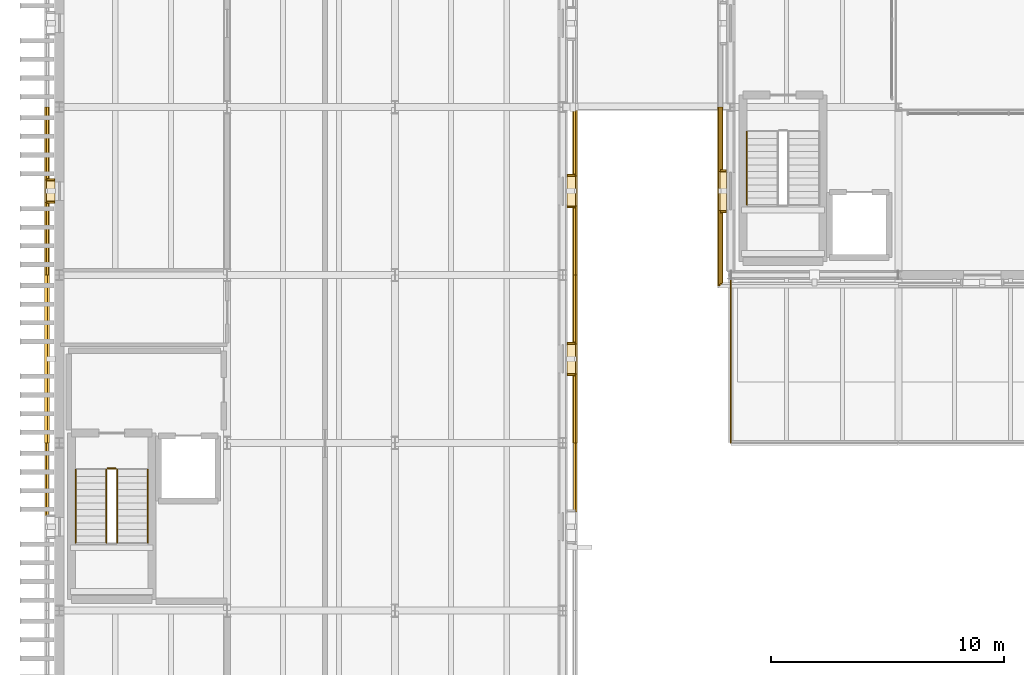
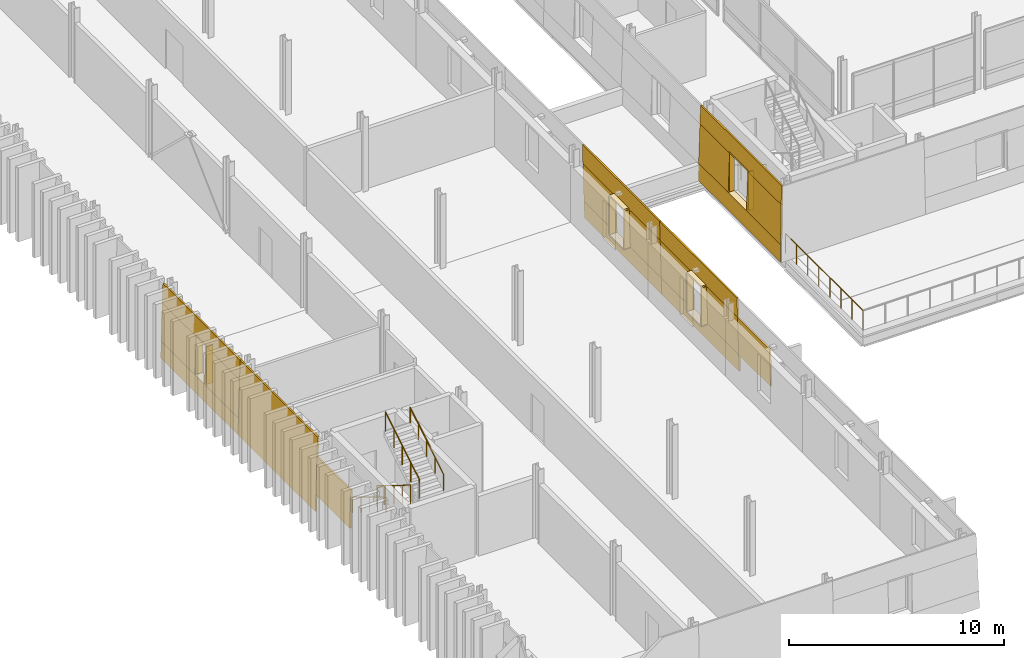
# One storey, part 76 of 91: 35 coverings, 7 railings.
"""IFC4 building model written with IfcOpenShell, lengths in metres."""

from ifc_helpers import new_model, si_unit, direction, frame, origin, origin_2d, place, context, subcontext, project, spatial, polyline, circle, outline, extrude, material, layer, layer_set, type_object, element, save


model = new_model("IFC4")

# Units and contexts
model_context = context("Model", 3, precision=1e-05, world=origin(), true_north=direction((0.0, 1.0)))
body_context = subcontext(model_context, "Body", "Model", "MODEL_VIEW")
ifc_project = project(units=[si_unit("LENGTHUNIT", "METRE"), si_unit("AREAUNIT", "SQUARE_METRE"), si_unit("VOLUMEUNIT", "CUBIC_METRE"), si_unit("PLANEANGLEUNIT", "RADIAN"), si_unit("MASSUNIT", "GRAM", prefix="KILO")], contexts=[model_context])

# Site, building, storey
site_placement = place(None, origin())
site = spatial("IfcSite", under=ifc_project, at=site_placement, CompositionType="ELEMENT")
building_placement = place(site_placement, origin())
building = spatial("IfcBuilding", under=site, at=building_placement, Name="Narikvali Park Central Library", CompositionType="ELEMENT")
storey_placement = place(building_placement, frame((0.0, 0.0, 14.39990234375)))
storey = spatial("IfcBuildingStorey", under=building, at=storey_placement, Name="L03", CompositionType="ELEMENT", Elevation=14.39990234375)

# Coverings
ifc_material_1 = material(Name="White Honed Limestone Cladding", Category="masonry")
ifc_layer_1 = layer(ifc_material_1, 0.0849609375, Name="White Honed Limestone Cladding")
ifc_layer_set_1 = layer_set([ifc_layer_1], Name="White Honed Limestone Cladding")
covering_type_1 = type_object("IfcCoveringType", Name="Battered White Limestone Facade Cladding Panel", PredefinedType="CLADDING", material=ifc_layer_set_1)
covering_1_placement = place(storey_placement, frame((28.2451171875, 64.800048828125, 0.0), z_axis=(-0.999434023877, 0.0, 0.033639737186), x_axis=(0.0, -1.0, 0.0)))
element("IfcCovering", 1, at=covering_1_placement, inside=storey, type_object=covering_type_1, Name="V4 L03 W Battered Limestone Spandrel B08", PredefinedType="CLADDING", context=body_context, shape_type="SweptSolid", body=[
    extrude(outline(polyline([(0.0, 0.0), (7.669921875, 0.0), (7.637939453125, 0.9507334049069504), (0.0, 0.9507334049069504), (0.0, 0.0)])), origin(), (0.0, 0.0, -1.0), 0.0849609375),
])
covering_2_placement = place(storey_placement, frame((28.351318359375, 64.800048828125, 3.150146484375), z_axis=(-0.999439995942, 0.0, 0.033461836646), x_axis=(0.0, -1.0, 0.0)))
element("IfcCovering", 2, at=covering_2_placement, inside=storey, type_object=covering_type_1, Name="V4 L03 W Battered Limestone Lintel B08", PredefinedType="CLADDING", context=body_context, shape_type="SweptSolid", body=[
    extrude(outline(polyline([(0.0, 0.0), (7.56396484375, 0.0), (7.528564453125, 1.0506371892145967), (0.0, 1.0506371892145967), (0.0, 0.0)])), origin(), (0.0, 0.0, -1.0), 0.0849609375),
])
covering_3_placement = place(storey_placement, frame((28.277099609375, 64.800048828125, 0.9501953125), z_axis=(-0.999431408105, 0.0, 0.033717361898), x_axis=(0.0, -1.0, 0.0)))
element("IfcCovering", 3, at=covering_3_placement, inside=storey, type_object=covering_type_1, Name="V4 L03 W Battered Limestone Jamb Pier L B08", PredefinedType="CLADDING", context=body_context, shape_type="SweptSolid", body=[
    extrude(outline(polyline([(0.0, 0.0), (2.760009765625, 0.0), (2.760009765625, 2.2012027579225295), (0.0, 2.2012027579225295), (0.0, 0.0)])), origin(), (0.0, 0.0, -1.0), 0.0849609375),
])
covering_4_placement = place(storey_placement, frame((28.277099609375, 60.360107421875, 0.9501953125), z_axis=(-0.999431408105, 0.0, 0.033717361898), x_axis=(0.0, -1.0, 0.0)))
element("IfcCovering", 4, at=covering_4_placement, inside=storey, type_object=covering_type_1, Name="V4 L03 W Battered Limestone Jamb Pier R B08", PredefinedType="CLADDING", context=body_context, shape_type="SweptSolid", body=[
    extrude(outline(polyline([(0.0, 0.0), (3.197998046875, 0.0), (3.1240234375, 2.2012027579225295), (0.0, 2.2012027579225295), (0.0, 0.0)])), origin(), (0.0, 0.0, -1.0), 0.0849609375),
])
covering_5_placement = place(storey_placement, frame((22.20458984375, 47.43994140625, 0.9501953125), z_axis=(0.99959725493, 0.0, 0.028378300447), x_axis=(0.0, 1.0, 0.0)))
element("IfcCovering", 5, at=covering_5_placement, inside=storey, type_object=covering_type_1, Name="V5 L03 E Battered Limestone Jamb Pier R B03", PredefinedType="CLADDING", context=body_context, shape_type="SweptSolid", body=[
    extrude(outline(polyline([(0.0, 0.0), (2.9599609375, 0.0), (2.9599609375, 2.150768555182125), (0.0, 2.150768555182125), (0.0, 0.0)])), origin(), (0.0, 0.0, -1.0), 0.0849609375),
])
covering_6_placement = place(storey_placement, frame((22.2314453125, 50.39990234375, 0.0), z_axis=(0.999600837605, 0.0, 0.028251822234), x_axis=(0.0, 1.0, 0.0)))
element("IfcCovering", 6, at=covering_6_placement, inside=storey, type_object=covering_type_1, Name="V5 L03 E Battered Limestone Spandrel B04", PredefinedType="CLADDING", context=body_context, shape_type="SweptSolid", body=[
    extrude(outline(polyline([(0.0, 0.0), (7.2001953125, 0.0), (7.2001953125, 0.9505747461924048), (0.0, 0.9505747461924048), (0.0, 0.0)])), origin(), (0.0, 0.0, -1.0), 0.0849609375),
])
covering_7_placement = place(storey_placement, frame((22.1435546875, 50.39990234375, 3.10009765625), z_axis=(0.999596777432, 0.0, 0.028395114849), x_axis=(0.0, 1.0, 0.0)))
element("IfcCovering", 7, at=covering_7_placement, inside=storey, type_object=covering_type_1, Name="V5 L03 E Battered Limestone Lintel B04", PredefinedType="CLADDING", context=body_context, shape_type="SweptSolid", body=[
    extrude(outline(polyline([(0.0, 0.0), (7.2001953125, 0.0), (7.2001953125, 1.1005414193871774), (0.0, 1.1005414193871774), (0.0, 0.0)])), origin(), (0.0, 0.0, -1.0), 0.0849609375),
])
for number, where, z_axis, x_axis, name in (
    (8, (22.20458984375, 50.39990234375, 0.9501953125), (0.99959725493, 0.0, 0.028378300447), (0.0, 1.0, 0.0), "V5 L03 E Battered Limestone Jamb Pier L B04"),
    (9, (22.20458984375, 54.639892578125, 0.9501953125), (0.99959725493, 0.0, 0.028378300447), (0.0, 1.0, 0.0), "V5 L03 E Battered Limestone Jamb Pier R B04"),
):
    element("IfcCovering", number, at=place(storey_placement, frame(where, z_axis=z_axis, x_axis=x_axis)), inside=storey, type_object=covering_type_1, Name=name, PredefinedType="CLADDING", context=body_context, shape_type="SweptSolid", body=[
        extrude(outline(polyline([(0.0, 0.0), (2.960205078125, 0.0), (2.960205078125, 2.150768555182125), (0.0, 2.150768555182125), (0.0, 0.0)])), origin(), (0.0, 0.0, -1.0), 0.0849609375),
    ])
covering_8_placement = place(storey_placement, frame((22.2314453125, 57.60009765625, 0.0), z_axis=(0.999600837605, 0.0, 0.028251822234), x_axis=(0.0, 1.0, 0.0)))
element("IfcCovering", 10, at=covering_8_placement, inside=storey, type_object=covering_type_1, Name="V5 L03 E Battered Limestone Spandrel B05", PredefinedType="CLADDING", context=body_context, shape_type="SweptSolid", body=[
    extrude(outline(polyline([(0.0, 0.0), (7.199951171875, 0.0), (7.199951171875, 0.9505747461924048), (0.0, 0.9505747461924048), (0.0, 0.0)])), origin(), (0.0, 0.0, -1.0), 0.0849609375),
])
covering_9_placement = place(storey_placement, frame((22.1435546875, 57.60009765625, 3.10009765625), z_axis=(0.999596777432, 0.0, 0.028395114849), x_axis=(0.0, 1.0, 0.0)))
element("IfcCovering", 11, at=covering_9_placement, inside=storey, type_object=covering_type_1, Name="V5 L03 E Battered Limestone Lintel B05", PredefinedType="CLADDING", context=body_context, shape_type="SweptSolid", body=[
    extrude(outline(polyline([(0.0, 0.0), (7.199951171875, 0.0), (7.199951171875, 1.1005414193871774), (0.0, 1.1005414193871774), (0.0, 0.0)])), origin(), (0.0, 0.0, -1.0), 0.0849609375),
])
for number, where, z_axis, x_axis, name in (
    (12, (22.20458984375, 57.60009765625, 0.9501953125), (0.99959725493, 0.0, 0.028378300447), (0.0, 1.0, 0.0), "V5 L03 E Battered Limestone Jamb Pier L B05"),
    (13, (22.20458984375, 61.840087890625, 0.9501953125), (0.99959725493, 0.0, 0.028378300447), (0.0, 1.0, 0.0), "V5 L03 E Battered Limestone Jamb Pier R B05"),
):
    element("IfcCovering", number, at=place(storey_placement, frame(where, z_axis=z_axis, x_axis=x_axis)), inside=storey, type_object=covering_type_1, Name=name, PredefinedType="CLADDING", context=body_context, shape_type="SweptSolid", body=[
        extrude(outline(polyline([(0.0, 0.0), (2.9599609375, 0.0), (2.9599609375, 2.150768555182125), (0.0, 2.150768555182125), (0.0, 0.0)])), origin(), (0.0, 0.0, -1.0), 0.0849609375),
    ])
covering_10_placement = place(storey_placement, frame((-0.631591796875, 64.800048828125, 0.0), z_axis=(-0.999593551562, 0.0, 0.028508449184), x_axis=(0.0, -1.0, 0.0)))
element("IfcCovering", 14, at=covering_10_placement, inside=storey, type_object=covering_type_1, Name="V5 L03 W Battered Limestone Spandrel B07", PredefinedType="CLADDING", context=body_context, shape_type="SweptSolid", body=[
    extrude(outline(polyline([(0.0, 0.0), (7.199951171875, 0.0), (7.199951171875, 0.9505816749365887), (0.0, 0.9505816749365887), (0.0, 0.0)])), origin(), (0.0, 0.0, -1.0), 0.0849609375),
])
covering_11_placement = place(storey_placement, frame((-0.54345703125, 64.800048828125, 3.10009765625), z_axis=(-0.999596777432, 0.0, 0.028395114849), x_axis=(0.0, -1.0, 0.0)))
element("IfcCovering", 15, at=covering_11_placement, inside=storey, type_object=covering_type_1, Name="V5 L03 W Battered Limestone Lintel B07", PredefinedType="CLADDING", context=body_context, shape_type="SweptSolid", body=[
    extrude(outline(polyline([(0.0, 0.0), (7.199951171875, 0.0), (7.199951171875, 1.1005414193871774), (0.0, 1.1005414193871774), (0.0, 0.0)])), origin(), (0.0, 0.0, -1.0), 0.0849609375),
])
covering_12_placement = place(storey_placement, frame((-0.6044921875, 64.800048828125, 0.9501953125), z_axis=(-0.99959725493, 0.0, 0.028378300447), x_axis=(0.0, -1.0, 0.0)))
element("IfcCovering", 16, at=covering_12_placement, inside=storey, type_object=covering_type_1, Name="V5 L03 W Battered Limestone Jamb Pier L B07", PredefinedType="CLADDING", context=body_context, shape_type="SweptSolid", body=[
    extrude(outline(polyline([(0.0, 0.0), (3.16015625, 0.0), (3.16015625, 2.150768555182125), (0.0, 2.150768555182125), (0.0, 0.0)])), origin(), (0.0, 0.0, -1.0), 0.0849609375),
])
covering_13_placement = place(storey_placement, frame((-0.6044921875, 60.760009765625, 0.9501953125), z_axis=(-0.99959725493, 0.0, 0.028378300447), x_axis=(0.0, -1.0, 0.0)))
element("IfcCovering", 17, at=covering_13_placement, inside=storey, type_object=covering_type_1, Name="V5 L03 W Battered Limestone Jamb Pier R B07", PredefinedType="CLADDING", context=body_context, shape_type="SweptSolid", body=[
    extrude(outline(polyline([(0.0, 0.0), (3.159912109375, 0.0), (3.159912109375, 2.150768555182125), (0.0, 2.150768555182125), (0.0, 0.0)])), origin(), (0.0, 0.0, -1.0), 0.0849609375),
])
covering_14_placement = place(storey_placement, frame((-0.631591796875, 57.60009765625, 0.0), z_axis=(-0.999596293445, 0.0, 0.028412147611), x_axis=(0.0, -1.0, 0.0)))
element("IfcCovering", 18, at=covering_14_placement, inside=storey, type_object=covering_type_1, Name="V5 L03 W Battered Limestone Panel B08", PredefinedType="CLADDING", context=body_context, shape_type="SweptSolid", body=[
    extrude(outline(polyline([(0.0, 0.0), (7.2001953125, 0.0), (7.2001953125, 4.201891643701717), (0.0, 4.201891643701717), (0.0, 0.0)])), origin(), (0.0, 0.0, -1.0), 0.0849609375),
])
covering_15_placement = place(storey_placement, frame((-0.6044921875, 50.39990234375, 0.9501953125), z_axis=(-0.99959725493, 0.0, 0.028378300447), x_axis=(0.0, -1.0, 0.0)))
element("IfcCovering", 19, at=covering_15_placement, inside=storey, type_object=covering_type_1, Name="V5 L03 W Battered Limestone Jamb Pier L B09", PredefinedType="CLADDING", context=body_context, shape_type="SweptSolid", body=[
    extrude(outline(polyline([(0.0, 0.0), (3.159912109375, 0.0), (3.159912109375, 2.150768555182125), (0.0, 2.150768555182125), (0.0, 0.0)])), origin(), (0.0, 0.0, -1.0), 0.0849609375),
])
ifc_layer_2 = layer(ifc_material_1, 0.080078125, Name="White Honed Limestone Cladding")
ifc_layer_set_2 = layer_set([ifc_layer_2], Name="White Honed Limestone Cladding")
covering_type_2 = type_object("IfcCoveringType", Name="Deep Carved White Limestone Window Reveal", PredefinedType="CLADDING", material=ifc_layer_set_2)
covering_16_placement = place(storey_placement, frame((0.0, 0.0, 3.150146484375)))
element("IfcCovering", 20, at=covering_16_placement, inside=storey, type_object=covering_type_2, Name="Deep Stone Reveal Head V4-RVL-L03-W-B08", PredefinedType="CLADDING", context=body_context, shape_type="SweptSolid", body=[
    extrude(outline(polyline([(28.614990234375, 62.080078125), (28.614990234375, 60.320068359375), (28.351318359375, 60.320068359375), (28.351318359375, 62.080078125), (28.614990234375, 62.080078125)])), origin(), (0.0, 0.0, 1.0), 0.079833984375),
])
covering_17_placement = place(storey_placement, frame((0.0, 0.0, 0.8701171875)))
element("IfcCovering", 21, at=covering_17_placement, inside=storey, type_object=covering_type_2, Name="Deep Stone Reveal Sill V4-RVL-L03-W-B08", PredefinedType="CLADDING", context=body_context, shape_type="SweptSolid", body=[
    extrude(outline(polyline([(28.614990234375, 62.080078125), (28.614990234375, 60.320068359375), (28.277099609375, 60.320068359375), (28.277099609375, 62.080078125), (28.614990234375, 62.080078125)])), origin(), (0.0, 0.0, 1.0), 0.080078125),
])
covering_18_placement = place(storey_placement, frame((0.0, 0.0, 0.9501953125)))
element("IfcCovering", 22, at=covering_18_placement, inside=storey, type_object=covering_type_2, Name="Deep Stone Reveal Jamb L V4-RVL-L03-W-B08", PredefinedType="CLADDING", context=body_context, shape_type="SweptSolid", body=[
    extrude(outline(polyline([(28.614990234375, 62.1201171875), (28.614990234375, 62.0400390625), (28.351318359375, 62.0400390625), (28.351318359375, 62.1201171875), (28.614990234375, 62.1201171875)])), origin(), (0.0, 0.0, 1.0), 2.199951171875),
])
covering_19_placement = place(storey_placement, frame((0.0, 0.0, 0.9501953125)))
element("IfcCovering", 23, at=covering_19_placement, inside=storey, type_object=covering_type_2, Name="Deep Stone Reveal Jamb R V4-RVL-L03-W-B08", PredefinedType="CLADDING", context=body_context, shape_type="SweptSolid", body=[
    extrude(outline(polyline([(28.614990234375, 60.360107421875), (28.614990234375, 60.280029296875), (28.351318359375, 60.280029296875), (28.351318359375, 60.360107421875), (28.614990234375, 60.360107421875)])), origin(), (0.0, 0.0, 1.0), 2.199951171875),
])
covering_20_placement = place(storey_placement, frame((0.0, 0.0, 3.10009765625)))
element("IfcCovering", 24, at=covering_20_placement, inside=storey, type_object=covering_type_2, Name="Deep Stone Reveal Head V5-RVL-L03-E-B04", PredefinedType="CLADDING", context=body_context, shape_type="SweptSolid", body=[
    extrude(outline(polyline([(21.784912109375, 53.320068359375), (21.784912109375, 54.679931640625), (22.1435546875, 54.679931640625), (22.1435546875, 53.320068359375), (21.784912109375, 53.320068359375)])), origin(), (0.0, 0.0, 1.0), 0.080078125),
])
covering_21_placement = place(storey_placement, frame((0.0, 0.0, 0.8701171875)))
element("IfcCovering", 25, at=covering_21_placement, inside=storey, type_object=covering_type_2, Name="Deep Stone Reveal Sill V5-RVL-L03-E-B04", PredefinedType="CLADDING", context=body_context, shape_type="SweptSolid", body=[
    extrude(outline(polyline([(21.784912109375, 53.320068359375), (21.784912109375, 54.679931640625), (22.20458984375, 54.679931640625), (22.20458984375, 53.320068359375), (21.784912109375, 53.320068359375)])), origin(), (0.0, 0.0, 1.0), 0.080078125),
])
covering_22_placement = place(storey_placement, frame((0.0, 0.0, 0.9501953125)))
element("IfcCovering", 26, at=covering_22_placement, inside=storey, type_object=covering_type_2, Name="Deep Stone Reveal Jamb L V5-RVL-L03-E-B04", PredefinedType="CLADDING", context=body_context, shape_type="SweptSolid", body=[
    extrude(outline(polyline([(21.784912109375, 53.280029296875), (21.784912109375, 53.360107421875), (22.1435546875, 53.360107421875), (22.1435546875, 53.280029296875), (21.784912109375, 53.280029296875)])), origin(), (0.0, 0.0, 1.0), 2.14990234375),
])
covering_23_placement = place(storey_placement, frame((0.0, 0.0, 0.9501953125)))
element("IfcCovering", 27, at=covering_23_placement, inside=storey, type_object=covering_type_2, Name="Deep Stone Reveal Jamb R V5-RVL-L03-E-B04", PredefinedType="CLADDING", context=body_context, shape_type="SweptSolid", body=[
    extrude(outline(polyline([(21.784912109375, 54.639892578125), (21.784912109375, 54.719970703125), (22.1435546875, 54.719970703125), (22.1435546875, 54.639892578125), (21.784912109375, 54.639892578125)])), origin(), (0.0, 0.0, 1.0), 2.14990234375),
])
covering_24_placement = place(storey_placement, frame((0.0, 0.0, 3.10009765625)))
element("IfcCovering", 28, at=covering_24_placement, inside=storey, type_object=covering_type_2, Name="Deep Stone Reveal Head V5-RVL-L03-E-B05", PredefinedType="CLADDING", context=body_context, shape_type="SweptSolid", body=[
    extrude(outline(polyline([(21.784912109375, 60.52001953125), (21.784912109375, 61.8798828125), (22.1435546875, 61.8798828125), (22.1435546875, 60.52001953125), (21.784912109375, 60.52001953125)])), origin(), (0.0, 0.0, 1.0), 0.080078125),
])
covering_25_placement = place(storey_placement, frame((0.0, 0.0, 0.8701171875)))
element("IfcCovering", 29, at=covering_25_placement, inside=storey, type_object=covering_type_2, Name="Deep Stone Reveal Sill V5-RVL-L03-E-B05", PredefinedType="CLADDING", context=body_context, shape_type="SweptSolid", body=[
    extrude(outline(polyline([(21.784912109375, 60.52001953125), (21.784912109375, 61.8798828125), (22.20458984375, 61.8798828125), (22.20458984375, 60.52001953125), (21.784912109375, 60.52001953125)])), origin(), (0.0, 0.0, 1.0), 0.080078125),
])
covering_26_placement = place(storey_placement, frame((0.0, 0.0, 0.9501953125)))
element("IfcCovering", 30, at=covering_26_placement, inside=storey, type_object=covering_type_2, Name="Deep Stone Reveal Jamb L V5-RVL-L03-E-B05", PredefinedType="CLADDING", context=body_context, shape_type="SweptSolid", body=[
    extrude(outline(polyline([(21.784912109375, 60.47998046875), (21.784912109375, 60.56005859375), (22.1435546875, 60.56005859375), (22.1435546875, 60.47998046875), (21.784912109375, 60.47998046875)])), origin(), (0.0, 0.0, 1.0), 2.14990234375),
])
covering_27_placement = place(storey_placement, frame((0.0, 0.0, 0.9501953125)))
element("IfcCovering", 31, at=covering_27_placement, inside=storey, type_object=covering_type_2, Name="Deep Stone Reveal Jamb R V5-RVL-L03-E-B05", PredefinedType="CLADDING", context=body_context, shape_type="SweptSolid", body=[
    extrude(outline(polyline([(21.784912109375, 61.840087890625), (21.784912109375, 61.919921875), (22.1435546875, 61.919921875), (22.1435546875, 61.840087890625), (21.784912109375, 61.840087890625)])), origin(), (0.0, 0.0, 1.0), 2.14990234375),
])
covering_28_placement = place(storey_placement, frame((0.0, 0.0, 3.10009765625)))
element("IfcCovering", 32, at=covering_28_placement, inside=storey, type_object=covering_type_2, Name="Deep Stone Reveal Head V5-RVL-L03-W-B07", PredefinedType="CLADDING", context=body_context, shape_type="SweptSolid", body=[
    extrude(outline(polyline([(-0.18505859375, 61.679931640625), (-0.18505859375, 60.719970703125), (-0.54345703125, 60.719970703125), (-0.54345703125, 61.679931640625), (-0.18505859375, 61.679931640625)])), origin(), (0.0, 0.0, 1.0), 0.080078125),
])
covering_29_placement = place(storey_placement, frame((0.0, 0.0, 0.8701171875)))
element("IfcCovering", 33, at=covering_29_placement, inside=storey, type_object=covering_type_2, Name="Deep Stone Reveal Sill V5-RVL-L03-W-B07", PredefinedType="CLADDING", context=body_context, shape_type="SweptSolid", body=[
    extrude(outline(polyline([(-0.18505859375, 61.679931640625), (-0.18505859375, 60.719970703125), (-0.6044921875, 60.719970703125), (-0.6044921875, 61.679931640625), (-0.18505859375, 61.679931640625)])), origin(), (0.0, 0.0, 1.0), 0.080078125),
])
covering_30_placement = place(storey_placement, frame((0.0, 0.0, 0.9501953125)))
element("IfcCovering", 34, at=covering_30_placement, inside=storey, type_object=covering_type_2, Name="Deep Stone Reveal Jamb L V5-RVL-L03-W-B07", PredefinedType="CLADDING", context=body_context, shape_type="SweptSolid", body=[
    extrude(outline(polyline([(-0.18505859375, 61.719970703125), (-0.18505859375, 61.639892578125), (-0.54345703125, 61.639892578125), (-0.54345703125, 61.719970703125), (-0.18505859375, 61.719970703125)])), origin(), (0.0, 0.0, 1.0), 2.14990234375),
])
covering_31_placement = place(storey_placement, frame((0.0, 0.0, 0.9501953125)))
element("IfcCovering", 35, at=covering_31_placement, inside=storey, type_object=covering_type_2, Name="Deep Stone Reveal Jamb R V5-RVL-L03-W-B07", PredefinedType="CLADDING", context=body_context, shape_type="SweptSolid", body=[
    extrude(outline(polyline([(-0.18505859375, 60.760009765625), (-0.18505859375, 60.679931640625), (-0.54345703125, 60.679931640625), (-0.54345703125, 60.760009765625), (-0.18505859375, 60.760009765625)])), origin(), (0.0, 0.0, 1.0), 2.14990234375),
])

# Railings
ifc_material_2 = material(Name="Brushed Stainless Steel S355", Category="steel")
ifc_layer_3 = layer(ifc_material_2, 0.044921875, Name="Brushed Stainless Steel S355")
ifc_layer_set_3 = layer_set([ifc_layer_3], Name="Brushed Stainless Steel S355")
railing_type_1 = type_object("IfcRailingType", Name="Stair Tubular Steel Handrail 900", PredefinedType="HANDRAIL", material=ifc_layer_set_3)
for number, where, name in (
    (36, (29.5, 63.75, 0.175048828125), "L03 ST-07 stair handrail 1"),
    (37, (0.699951171875, 49.25, 0.175048828125), "L03 ST-09 stair handrail 1"),
):
    element("IfcRailing", number, at=place(storey_placement, frame(where)), inside=storey, type_object=railing_type_1, Name=name, PredefinedType="HANDRAIL", context=body_context, shape_type="SweptSolid", body=[
        extrude(circle(Radius=0.02392578125, at=origin_2d()), frame((0.0, 0.0, 0.8759765625), z_axis=(0.0, -0.852166034122, 0.523271488128), x_axis=(1.0, 0.0, 0.0)), (0.0, 0.0, 1.0), 3.678955078125),
        extrude(circle(Radius=0.02099609375, at=origin_2d()), origin(), (0.0, 0.0, 1.0), 0.851806640625),
        extrude(circle(Radius=0.02099609375, at=origin_2d()), frame((0.0, -0.78369140625, 0.481201171875)), (0.0, 0.0, 1.0), 0.851806640625),
        extrude(circle(Radius=0.02099609375, at=origin_2d()), frame((0.0, -1.5673828125, 0.96240234375)), (0.0, 0.0, 1.0), 0.851806640625),
        extrude(circle(Radius=0.02099609375, at=origin_2d()), frame((0.0, -2.351318359375, 1.44384765625)), (0.0, 0.0, 1.0), 0.851806640625),
        extrude(circle(Radius=0.02099609375, at=origin_2d()), frame((0.0, -3.135009765625, 1.925048828125)), (0.0, 0.0, 1.0), 0.851806640625),
    ])
railing_1_placement = place(storey_placement, frame((3.800048828125, 46.114990234375, 2.275146484375)))
element("IfcRailing", 38, at=railing_1_placement, inside=storey, type_object=railing_type_1, Name="L03 ST-09 stair handrail 2", PredefinedType="HANDRAIL", context=body_context, shape_type="SweptSolid", body=[
    extrude(circle(Radius=0.02392578125, at=origin_2d()), frame((0.0, 0.0, 0.8759765625), z_axis=(0.0, 0.852166034122, 0.523271488128), x_axis=(-1.0, 0.0, 0.0)), (0.0, 0.0, 1.0), 3.678955078125),
    extrude(circle(Radius=0.02099609375, at=origin_2d()), origin(), (0.0, 0.0, 1.0), 0.851806640625),
    extrude(circle(Radius=0.02099609375, at=origin_2d()), frame((0.0, 0.78369140625, 0.481201171875)), (0.0, 0.0, 1.0), 0.851806640625),
    extrude(circle(Radius=0.02099609375, at=origin_2d()), frame((0.0, 1.5673828125, 0.96240234375)), (0.0, 0.0, 1.0), 0.851806640625),
    extrude(circle(Radius=0.02099609375, at=origin_2d()), frame((0.0, 2.351318359375, 1.44384765625)), (0.0, 0.0, 1.0), 0.851806640625),
    extrude(circle(Radius=0.02099609375, at=origin_2d()), frame((0.0, 3.135009765625, 1.925048828125)), (0.0, 0.0, 1.0), 0.851806640625),
])
ifc_material_3 = material(Name="Powder-Coated Steel S275", Category="steel")
ifc_layer_4 = layer(ifc_material_3, 0.050048828125, Name="Powder-Coated Steel S275")
ifc_layer_set_4 = layer_set([ifc_layer_4], Name="Powder-Coated Steel S275")
railing_type_2 = type_object("IfcRailingType", Name="Stair Well Steel Guardrail 1100", PredefinedType="GUARDRAIL", material=ifc_layer_set_4)
railing_2_placement = place(storey_placement, frame((2.02001953125, 49.25, 0.175048828125)))
element("IfcRailing", 39, at=railing_2_placement, inside=storey, type_object=railing_type_2, Name="L03 ST-09 stair guard 1", PredefinedType="GUARDRAIL", context=body_context, shape_type="SweptSolid", body=[
    extrude(circle(Radius=0.02392578125, at=origin_2d()), frame((0.0, 0.0, 1.076171875), z_axis=(0.0, -0.852166034122, 0.523271488128), x_axis=(1.0, 0.0, 0.0)), (0.0, 0.0, 1.0), 3.678955078125),
    extrude(circle(Radius=0.02099609375, at=origin_2d()), origin(), (0.0, 0.0, 1.0), 1.052001953125),
    extrude(circle(Radius=0.02099609375, at=origin_2d()), frame((0.0, -0.78369140625, 0.481201171875)), (0.0, 0.0, 1.0), 1.052001953125),
    extrude(circle(Radius=0.02099609375, at=origin_2d()), frame((0.0, -1.5673828125, 0.96240234375)), (0.0, 0.0, 1.0), 1.052001953125),
    extrude(circle(Radius=0.02099609375, at=origin_2d()), frame((0.0, -2.351318359375, 1.44384765625)), (0.0, 0.0, 1.0), 1.052001953125),
    extrude(circle(Radius=0.02099609375, at=origin_2d()), frame((0.0, -3.135009765625, 1.925048828125)), (0.0, 0.0, 1.0), 1.052001953125),
])
railing_3_placement = place(storey_placement, frame((2.47998046875, 46.114990234375, 2.275146484375)))
element("IfcRailing", 40, at=railing_3_placement, inside=storey, type_object=railing_type_2, Name="L03 ST-09 stair guard 3", PredefinedType="GUARDRAIL", context=body_context, shape_type="SweptSolid", body=[
    extrude(circle(Radius=0.02392578125, at=origin_2d()), frame((0.0, 0.0, 1.076171875), z_axis=(0.0, 0.852166034122, 0.523271488128), x_axis=(-1.0, 0.0, 0.0)), (0.0, 0.0, 1.0), 3.678955078125),
    extrude(circle(Radius=0.02099609375, at=origin_2d()), origin(), (0.0, 0.0, 1.0), 1.052001953125),
    extrude(circle(Radius=0.02099609375, at=origin_2d()), frame((0.0, 0.78369140625, 0.481201171875)), (0.0, 0.0, 1.0), 1.052001953125),
    extrude(circle(Radius=0.02099609375, at=origin_2d()), frame((0.0, 1.5673828125, 0.96240234375)), (0.0, 0.0, 1.0), 1.052001953125),
    extrude(circle(Radius=0.02099609375, at=origin_2d()), frame((0.0, 2.351318359375, 1.44384765625)), (0.0, 0.0, 1.0), 1.052001953125),
    extrude(circle(Radius=0.02099609375, at=origin_2d()), frame((0.0, 3.135009765625, 1.925048828125)), (0.0, 0.0, 1.0), 1.052001953125),
])
railing_4_placement = place(storey_placement, frame((2.070068359375, 49.300048828125, 0.0)))
element("IfcRailing", 41, at=railing_4_placement, inside=storey, type_object=railing_type_2, Name="L03 ST-09 stair guard 4", PredefinedType="GUARDRAIL", context=body_context, shape_type="SweptSolid", body=[
    extrude(circle(Radius=0.02392578125, at=origin_2d()), frame((0.0, 0.0, 1.076171875), z_axis=(1.0, 0.0, 0.0), x_axis=(0.0, 1.0, 0.0)), (0.0, 0.0, 1.0), 0.35986328125),
    extrude(circle(Radius=0.02099609375, at=origin_2d()), origin(), (0.0, 0.0, 1.0), 1.052001953125),
    extrude(circle(Radius=0.02099609375, at=origin_2d()), frame((0.35986328125, 0.0, 0.0)), (0.0, 0.0, 1.0), 1.052001953125),
])
ifc_material_4 = material(Name="Anodised Bronze and White Limestone", Category="masonry")
ifc_layer_5 = layer(ifc_material_4, 0.080078125, Name="Anodised Bronze and White Limestone")
ifc_layer_set_5 = layer_set([ifc_layer_5], Name="Anodised Bronze and White Limestone")
railing_type_3 = type_object("IfcRailingType", Name="Terrace Stone and Bronze Balustrade 1150", PredefinedType="BALUSTRADE", material=ifc_layer_set_5)
railing_5_placement = place(storey_placement, frame((28.800048828125, 57.60009765625, 0.0)))
element("IfcRailing", 42, at=railing_5_placement, inside=storey, type_object=railing_type_3, Name="V4 L03 Roof Garden Balustrade 6", PredefinedType="BALUSTRADE", context=body_context, shape_type="SweptSolid", body=[
    extrude(circle(Radius=0.02392578125, at=origin_2d()), frame((0.0, 0.0, 1.1259765625), z_axis=(0.0, -1.0, 0.0), x_axis=(1.0, 0.0, 0.0)), (0.0, 0.0, 1.0), 7.2001953125),
    extrude(circle(Radius=0.02099609375, at=origin_2d()), origin(), (0.0, 0.0, 1.0), 1.101806640625),
    extrude(circle(Radius=0.02099609375, at=origin_2d()), frame((0.0, -1.028564453125, 0.0)), (0.0, 0.0, 1.0), 1.101806640625),
    extrude(circle(Radius=0.02099609375, at=origin_2d()), frame((0.0, -2.05712890625, 0.0)), (0.0, 0.0, 1.0), 1.101806640625),
    extrude(circle(Radius=0.02099609375, at=origin_2d()), frame((0.0, -3.085693359375, 0.0)), (0.0, 0.0, 1.0), 1.101806640625),
    extrude(circle(Radius=0.02099609375, at=origin_2d()), frame((0.0, -4.114501953125, 0.0)), (0.0, 0.0, 1.0), 1.101806640625),
    extrude(circle(Radius=0.02099609375, at=origin_2d()), frame((0.0, -5.14306640625, 0.0)), (0.0, 0.0, 1.0), 1.101806640625),
    extrude(circle(Radius=0.02099609375, at=origin_2d()), frame((0.0, -6.171630859375, 0.0)), (0.0, 0.0, 1.0), 1.101806640625),
    extrude(circle(Radius=0.02099609375, at=origin_2d()), frame((0.0, -7.2001953125, 0.0)), (0.0, 0.0, 1.0), 1.101806640625),
])

save(model, "model.ifc")
